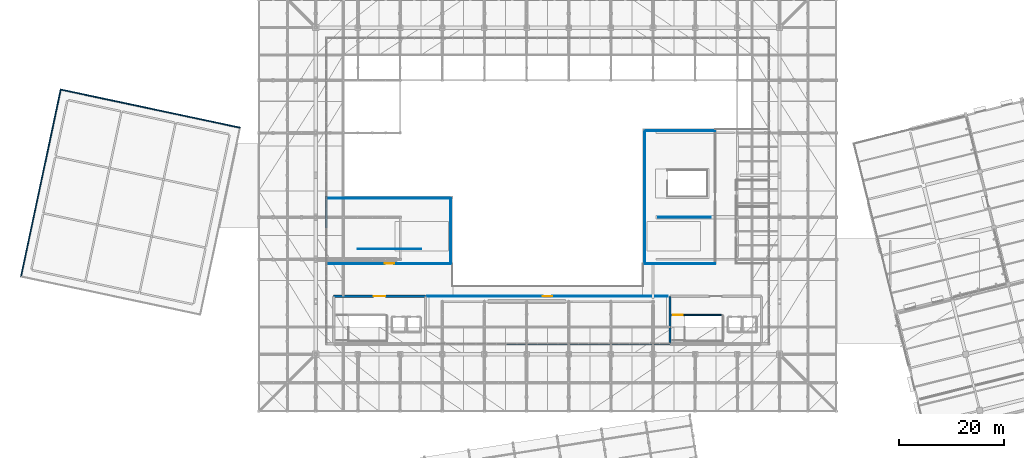
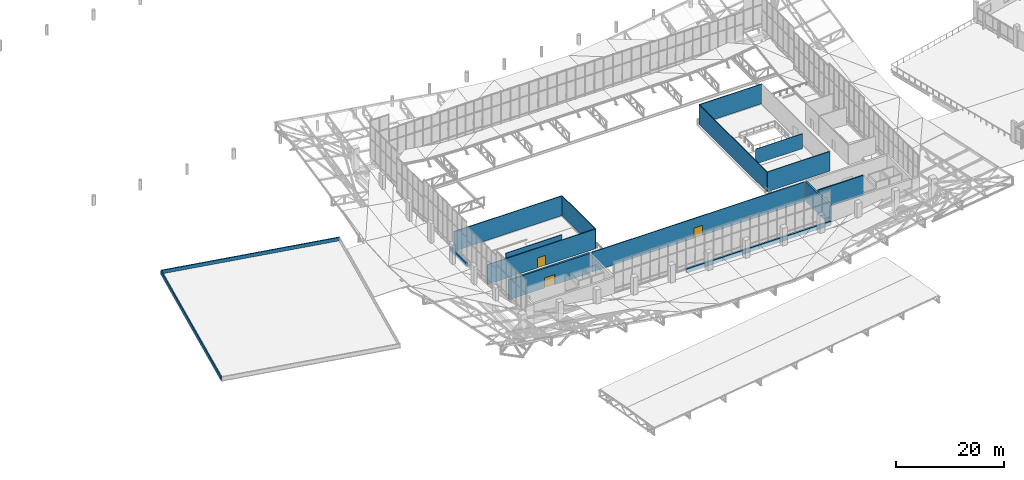
# One storey, part 121 of 137: 19 walls, 4 doors, 4 openings.
"""IFC4 building model written with IfcOpenShell, lengths in metres."""

from ifc_helpers import new_model, si_unit, direction, frame, frame_2d, origin, place, context, subcontext, project, spatial, rectangle, extrude, material, layer, layer_set, type_object, element, fill, save


model = new_model("IFC4")

# Units and contexts
model_context = context("Model", 3, precision=1e-05, world=origin(), true_north=direction((0.0, 1.0)))
body_context = subcontext(model_context, "Body", "Model", "MODEL_VIEW")
ifc_project = project(units=[si_unit("LENGTHUNIT", "METRE"), si_unit("AREAUNIT", "SQUARE_METRE"), si_unit("VOLUMEUNIT", "CUBIC_METRE"), si_unit("PLANEANGLEUNIT", "RADIAN"), si_unit("MASSUNIT", "GRAM", prefix="KILO")], contexts=[model_context])

# Site, building, storey
site_placement = place(None, origin())
site = spatial("IfcSite", under=ifc_project, at=site_placement, CompositionType="ELEMENT")
building_placement = place(site_placement, origin())
building = spatial("IfcBuilding", under=site, at=building_placement, Name="Khorjan Park Terminus", CompositionType="ELEMENT")
storey_placement = place(building_placement, frame((0.0, 0.0, 11.4)))
storey = spatial("IfcBuildingStorey", under=building, at=storey_placement, Name="L02", CompositionType="ELEMENT", Elevation=11.4)

# Wall, opening, door
ifc_material_1 = material(Name="Concrete C50/60", Category="concrete")
ifc_layer_1 = layer(ifc_material_1, 0.4)
ifc_layer_set_1 = layer_set([ifc_layer_1], Name="Concrete C50/60")
wall_type_1 = type_object("IfcWallType", Name="CW-40", PredefinedType="SHEAR", material=ifc_layer_set_1)
wall_1_placement = place(storey_placement, frame((68.8, 37.0, 0.0), z_axis=(0.0, 0.0, 1.0), x_axis=(-1.0, 0.0, 0.0)))
wall_1 = element("IfcWall", 1, at=wall_1_placement, inside=storey, type_object=wall_type_1, Name="West Concourse Core concrete shear wall CW-40 (L02-E3)", PredefinedType="SHEAR", context=body_context, shape_type="SweptSolid", body=[
    extrude(rectangle(XDim=17.4, YDim=0.4, at=frame_2d((8.7, 0.0))), origin(), (0.0, 0.0, 1.0), 4.46),
])
opening_1_placement = place(wall_1_placement, frame((7.6, 0.0, 0.0)))
opening_1 = element("IfcOpeningElement", 2, at=opening_1_placement, cuts=wall_1, Name="Opening FD-22", PredefinedType="OPENING", context=body_context, shape_type="SweptSolid", body=[
    extrude(rectangle(XDim=2.2, YDim=2.3, at=frame_2d((1.1, 1.15))), frame((0.0, 0.21, 0.0), z_axis=(0.0, -1.0, 0.0), x_axis=(1.0, 0.0, 0.0)), (0.0, 0.0, 1.0), 0.42),
])
ifc_material_2 = material(Name="Fire-Rated Steel Double Door", Category="steel")
door_type_1 = type_object("IfcDoorType", Name="FD-22", OperationType="NOTDEFINED", PredefinedType="DOOR", material=ifc_material_2)
door_1_placement = place(opening_1_placement, origin())
door_1 = element("IfcDoor", 3, at=door_1_placement, inside=storey, type_object=door_type_1, Name="West Concourse Core fire-rated exit door FD-22 (L02)", OperationType="DOUBLE_DOOR_SINGLE_SWING", OverallHeight=2.3, OverallWidth=2.2, PredefinedType="DOOR", context=body_context, shape_type="SweptSolid", body=[
    extrude(rectangle(XDim=2.2, YDim=2.3, at=frame_2d((1.1, 1.15))), frame((0.0, 0.025, 0.0), z_axis=(0.0, -1.0, 0.0), x_axis=(1.0, 0.0, 0.0)), (0.0, 0.0, 1.0), 0.05),
])
fill(opening_1, door_1)

# Walls
wall_2_placement = place(storey_placement, frame((115.2, 37.0, 0.0), z_axis=(0.0, 0.0, 1.0), x_axis=(0.0, -1.0, 0.0)))
element("IfcWall", 4, at=wall_2_placement, inside=storey, type_object=wall_type_1, Name="East Concourse Core concrete shear wall CW-40 (L02-E4)", PredefinedType="SHEAR", context=body_context, shape_type="SweptSolid", body=[
    extrude(rectangle(XDim=9.0, YDim=0.4, at=frame_2d((4.5, 0.0))), origin(), (0.0, 0.0, 1.0), 4.46),
])
ifc_material_3 = material(Name="Pigmented Precast GRC & Concrete C40/50", Category="concrete")
ifc_layer_2 = layer(ifc_material_3, 0.35)
ifc_layer_set_2 = layer_set([ifc_layer_2], Name="Pigmented Precast GRC & Concrete C40/50")
wall_type_2 = type_object("IfcWallType", Name="EW-35", PredefinedType="STANDARD", material=ifc_layer_set_2)
for number, where, z_axis, x_axis, name in (
    (5, (84.2, 28.0, 0.0), (0.0, 0.0, 1.0), (1.0, 0.0, 0.0), "Concourse gallery clerestory sill wall EW-35 (S-4)"),
    (6, (92.0, 28.0, 0.0), (0.0, 0.0, 1.0), (1.0, 0.0, 0.0), "Concourse gallery clerestory sill wall EW-35 (S-5)"),
):
    element("IfcWall", number, at=place(storey_placement, frame(where, z_axis=z_axis, x_axis=x_axis)), inside=storey, type_object=wall_type_2, Name=name, PredefinedType="STANDARD", context=body_context, shape_type="SweptSolid", body=[
        extrude(rectangle(XDim=7.8, YDim=0.35, at=frame_2d((3.9, 0.0))), origin(), (0.0, 0.0, 1.0), 0.95),
    ])
for number, where, z_axis, x_axis, name in (
    (7, (99.8, 28.0, 0.0), (0.0, 0.0, 1.0), (1.0, 0.0, 0.0), "Concourse gallery clerestory sill wall EW-35 (S-6)"),
    (8, (107.5, 28.0, 0.0), (0.0, 0.0, 1.0), (1.0, 0.0, 0.0), "Concourse gallery clerestory sill wall EW-35 (S-7)"),
):
    element("IfcWall", number, at=place(storey_placement, frame(where, z_axis=z_axis, x_axis=x_axis)), inside=storey, type_object=wall_type_2, Name=name, PredefinedType="STANDARD", context=body_context, shape_type="SweptSolid", body=[
        extrude(rectangle(XDim=7.7, YDim=0.35, at=frame_2d((3.85, 0.0))), origin(), (0.0, 0.0, 1.0), 0.95),
    ])
wall_3_placement = place(storey_placement, frame((50.0, 56.0, 0.0), z_axis=(0.0, 0.0, 1.0), x_axis=(0.0, -1.0, 0.0)))
element("IfcWall", 9, at=wall_3_placement, inside=storey, type_object=wall_type_2, Name="Concourse gallery clerestory sill wall EW-35 (W-3)", PredefinedType="STANDARD", context=body_context, shape_type="SweptSolid", body=[
    extrude(rectangle(XDim=6.0, YDim=0.35, at=frame_2d((3.0, 0.0))), origin(), (0.0, 0.0, 1.0), 0.95),
])
ifc_layer_3 = layer(ifc_material_3, 0.22)
ifc_layer_set_3 = layer_set([ifc_layer_3], Name="Pigmented Precast GRC & Concrete C40/50")
wall_type_3 = type_object("IfcWallType", Name="EW-PAR-220", PredefinedType="PARAPET", material=ifc_layer_set_3)
wall_4_placement = place(storey_placement, frame((33.6297, 69.0005, 0.15), z_axis=(0.0, 0.0, 1.0), x_axis=(-0.978147127847, 0.207913915563, 0.0)))
element("IfcWall", 10, at=wall_4_placement, inside=storey, type_object=wall_type_3, Name="Pavilion flat-roof perimeter parapet PW-22 (3)", PredefinedType="PARAPET", context=body_context, shape_type="SweptSolid", body=[
    extrude(rectangle(XDim=34.8, YDim=0.22, at=frame_2d((17.4, 0.0))), origin(), (0.0, 0.0, 1.0), 0.8),
])
wall_5_placement = place(storey_placement, frame((-0.4098, 76.2359, 0.15), z_axis=(0.0, 0.0, 1.0), x_axis=(-0.207911603208, -0.978147619356, 0.0)))
element("IfcWall", 11, at=wall_5_placement, inside=storey, type_object=wall_type_3, Name="Pavilion flat-roof perimeter parapet PW-22 (4)", PredefinedType="PARAPET", context=body_context, shape_type="SweptSolid", body=[
    extrude(rectangle(XDim=36.3, YDim=0.22, at=frame_2d((18.15, 0.0))), origin(), (0.0, 0.0, 1.0), 0.8),
])
ifc_material_4 = material(Name="Acoustic Operable Folding PartitionWall")
ifc_layer_4 = layer(ifc_material_4, 0.12)
ifc_layer_set_4 = layer_set([ifc_layer_4], Name="Acoustic Operable Folding PartitionWall")
wall_type_4 = type_object("IfcWallType", Name="MV-12", PredefinedType="MOVABLE", material=ifc_layer_set_4)
wall_6_placement = place(storey_placement, frame((56.0, 46.0, 0.0), z_axis=(0.0, 0.0, 1.0), x_axis=(1.0, 0.0, 0.0)))
element("IfcWall", 12, at=wall_6_placement, inside=storey, type_object=wall_type_4, Name="Operable acoustic folding partition MV-12 (3)", PredefinedType="MOVABLE", context=body_context, shape_type="SweptSolid", body=[
    extrude(rectangle(XDim=12.0, YDim=0.12, at=frame_2d((6.0, 0.0))), origin(), (0.0, 0.0, 1.0), 3.4),
])
wall_7_placement = place(storey_placement, frame((113.0, 52.0, 0.0), z_axis=(0.0, 0.0, 1.0), x_axis=(1.0, 0.0, 0.0)))
element("IfcWall", 13, at=wall_7_placement, inside=storey, type_object=wall_type_4, Name="Operable acoustic folding partition MV-12 (4)", PredefinedType="MOVABLE", context=body_context, shape_type="SweptSolid", body=[
    extrude(rectangle(XDim=10.0, YDim=0.12, at=frame_2d((5.0, 0.0))), origin(), (0.0, 0.0, 1.0), 3.4),
])

# Wall, opening, door
ifc_material_5 = material(Name="Insulated Metal-Stud Acoustic Partition")
ifc_layer_5 = layer(ifc_material_5, 0.16)
ifc_layer_set_5 = layer_set([ifc_layer_5], Name="Insulated Metal-Stud Acoustic Partition")
wall_type_5 = type_object("IfcWallType", Name="PT-16", PredefinedType="PARTITIONING", material=ifc_layer_set_5)
wall_8_placement = place(storey_placement, frame((69.2, 37.0, 0.0), z_axis=(0.0, 0.0, 1.0), x_axis=(1.0, 0.0, 0.0)))
wall_8 = element("IfcWall", 14, at=wall_8_placement, inside=storey, type_object=wall_type_5, Name="Interior acoustic partition PT-16 (L02-SLNG)", PredefinedType="PARTITIONING", context=body_context, shape_type="SweptSolid", body=[
    extrude(rectangle(XDim=45.6, YDim=0.16, at=frame_2d((22.8, 0.0))), origin(), (0.0, 0.0, 1.0), 4.46),
])
opening_2_placement = place(wall_8_placement, frame((21.9, 0.0, 0.0)))
opening_2 = element("IfcOpeningElement", 15, at=opening_2_placement, cuts=wall_8, Name="Opening ID-18", PredefinedType="OPENING", context=body_context, shape_type="SweptSolid", body=[
    extrude(rectangle(XDim=1.8, YDim=2.25, at=frame_2d((0.9, 1.125))), frame((0.0, 0.09, 0.0), z_axis=(0.0, -1.0, 0.0), x_axis=(1.0, 0.0, 0.0)), (0.0, 0.0, 1.0), 0.18),
])
ifc_material_6 = material(Name="Acoustic Hardwood & Vision-Lite Double Door", Category="wood")
door_type_2 = type_object("IfcDoorType", Name="ID-18", OperationType="NOTDEFINED", PredefinedType="DOOR", material=ifc_material_6)
door_2_placement = place(opening_2_placement, origin())
door_2 = element("IfcDoor", 16, at=door_2_placement, inside=storey, type_object=door_type_2, Name="Interior door ID-18 (L02-SLNG)", OperationType="DOUBLE_DOOR_SINGLE_SWING", OverallHeight=2.25, OverallWidth=1.8, PredefinedType="DOOR", context=body_context, shape_type="SweptSolid", body=[
    extrude(rectangle(XDim=1.8, YDim=2.25, at=frame_2d((0.9, 1.125))), frame((0.0, 0.025, 0.0), z_axis=(0.0, -1.0, 0.0), x_axis=(1.0, 0.0, 0.0)), (0.0, 0.0, 1.0), 0.05),
])
fill(opening_2, door_2)

# Walls
wall_9_placement = place(storey_placement, frame((50.4, 55.6, 0.0), z_axis=(0.0, 0.0, 1.0), x_axis=(1.0, 0.0, 0.0)))
element("IfcWall", 17, at=wall_9_placement, inside=storey, type_object=wall_type_5, Name="Interior acoustic partition PT-16 (L02-VIPW)", PredefinedType="PARTITIONING", context=body_context, shape_type="SweptSolid", body=[
    extrude(rectangle(XDim=23.2, YDim=0.16, at=frame_2d((11.6, 0.0))), origin(), (0.0, 0.0, 1.0), 4.46),
])
wall_10_placement = place(storey_placement, frame((73.6, 55.6, 0.0), z_axis=(0.0, 0.0, 1.0), x_axis=(0.0, -1.0, 0.0)))
element("IfcWall", 18, at=wall_10_placement, inside=storey, type_object=wall_type_5, Name="Interior acoustic partition PT-16 (L02-VIPW)", PredefinedType="PARTITIONING", context=body_context, shape_type="SweptSolid", body=[
    extrude(rectangle(XDim=12.4, YDim=0.16, at=frame_2d((6.2, 0.0))), origin(), (0.0, 0.0, 1.0), 4.46),
])

# Wall, opening, door
wall_11_placement = place(storey_placement, frame((73.6, 43.2, 0.0), z_axis=(0.0, 0.0, 1.0), x_axis=(-1.0, 0.0, 0.0)))
wall_11 = element("IfcWall", 19, at=wall_11_placement, inside=storey, type_object=wall_type_5, Name="Interior acoustic partition PT-16 (L02-VIPW)", PredefinedType="PARTITIONING", context=body_context, shape_type="SweptSolid", body=[
    extrude(rectangle(XDim=23.2, YDim=0.16, at=frame_2d((11.6, 0.0))), origin(), (0.0, 0.0, 1.0), 4.46),
])
opening_3_placement = place(wall_11_placement, frame((10.7, 0.0, 0.0)))
opening_3 = element("IfcOpeningElement", 20, at=opening_3_placement, cuts=wall_11, Name="Opening ID-18", PredefinedType="OPENING", context=body_context, shape_type="SweptSolid", body=[
    extrude(rectangle(XDim=1.8, YDim=2.25, at=frame_2d((0.9, 1.125))), frame((0.0, 0.09, 0.0), z_axis=(0.0, -1.0, 0.0), x_axis=(1.0, 0.0, 0.0)), (0.0, 0.0, 1.0), 0.18),
])
door_3_placement = place(opening_3_placement, origin())
door_3 = element("IfcDoor", 21, at=door_3_placement, inside=storey, type_object=door_type_2, Name="Interior door ID-18 (L02-VIPW)", OperationType="DOUBLE_DOOR_SINGLE_SWING", OverallHeight=2.25, OverallWidth=1.8, PredefinedType="DOOR", context=body_context, shape_type="SweptSolid", body=[
    extrude(rectangle(XDim=1.8, YDim=2.25, at=frame_2d((0.9, 1.125))), frame((0.0, 0.025, 0.0), z_axis=(0.0, -1.0, 0.0), x_axis=(1.0, 0.0, 0.0)), (0.0, 0.0, 1.0), 0.05),
])
fill(opening_3, door_3)

# Walls
for number, where, z_axis, x_axis, name in (
    (22, (110.4, 68.4, 0.0), (0.0, 0.0, 1.0), (1.0, 0.0, 0.0), "Interior acoustic partition PT-16 (L02-VIPE)"),
    (23, (123.8, 43.2, 0.0), (0.0, 0.0, 1.0), (-1.0, 0.0, 0.0), "Interior acoustic partition PT-16 (L02-VIPE)"),
):
    element("IfcWall", number, at=place(storey_placement, frame(where, z_axis=z_axis, x_axis=x_axis)), inside=storey, type_object=wall_type_5, Name=name, PredefinedType="PARTITIONING", context=body_context, shape_type="SweptSolid", body=[
        extrude(rectangle(XDim=13.4, YDim=0.16, at=frame_2d((6.7, 0.0))), origin(), (0.0, 0.0, 1.0), 4.46),
    ])
wall_12_placement = place(storey_placement, frame((110.4, 43.2, 0.0), z_axis=(0.0, 0.0, 1.0), x_axis=(0.0, 1.0, 0.0)))
element("IfcWall", 24, at=wall_12_placement, inside=storey, type_object=wall_type_5, Name="Interior acoustic partition PT-16 (L02-VIPE)", PredefinedType="PARTITIONING", context=body_context, shape_type="SweptSolid", body=[
    extrude(rectangle(XDim=25.2, YDim=0.16, at=frame_2d((12.6, 0.0))), origin(), (0.0, 0.0, 1.0), 4.46),
])

# Wall, opening, door
ifc_material_7 = material(Name="Concrete C40/50", Category="concrete")
ifc_layer_6 = layer(ifc_material_7, 0.25)
ifc_layer_set_6 = layer_set([ifc_layer_6], Name="Concrete C40/50")
wall_type_6 = type_object("IfcWallType", Name="SW-25", PredefinedType="SOLIDWALL", material=ifc_layer_set_6)
wall_13_placement = place(storey_placement, frame((115.58, 33.435, 0.0), z_axis=(0.0, 0.0, 1.0), x_axis=(1.0, 0.0, 0.0)))
wall_13 = element("IfcWall", 25, at=wall_13_placement, inside=storey, type_object=wall_type_6, Name="East Concourse Core structural stairwell wall SW-25 (L02)", PredefinedType="SOLIDWALL", context=body_context, shape_type="SweptSolid", body=[
    extrude(rectangle(XDim=9.745, YDim=0.25, at=frame_2d((4.8725, 0.0))), origin(), (0.0, 0.0, 1.0), 4.46),
])
opening_4_placement = place(wall_13_placement, frame((0.25, 0.0, 0.0)))
opening_4 = element("IfcOpeningElement", 26, at=opening_4_placement, cuts=wall_13, Name="Opening FD-18", PredefinedType="OPENING", context=body_context, shape_type="SweptSolid", body=[
    extrude(rectangle(XDim=1.8, YDim=2.25, at=frame_2d((0.9, 1.125))), frame((0.0, 0.135, 0.0), z_axis=(0.0, -1.0, 0.0), x_axis=(1.0, 0.0, 0.0)), (0.0, 0.0, 1.0), 0.27),
])
door_type_3 = type_object("IfcDoorType", Name="FD-18", OperationType="NOTDEFINED", PredefinedType="DOOR", material=ifc_material_2)
door_4_placement = place(opening_4_placement, origin())
door_4 = element("IfcDoor", 27, at=door_4_placement, inside=storey, type_object=door_type_3, Name="East Concourse Core stairwell fire door FD-18 (L02)", OperationType="DOUBLE_DOOR_SINGLE_SWING", OverallHeight=2.25, OverallWidth=1.8, PredefinedType="DOOR", context=body_context, shape_type="SweptSolid", body=[
    extrude(rectangle(XDim=1.8, YDim=2.25, at=frame_2d((0.9, 1.125))), frame((0.0, 0.025, 0.0), z_axis=(0.0, -1.0, 0.0), x_axis=(1.0, 0.0, 0.0)), (0.0, 0.0, 1.0), 0.05),
])
fill(opening_4, door_4)

save(model, "model.ifc")
